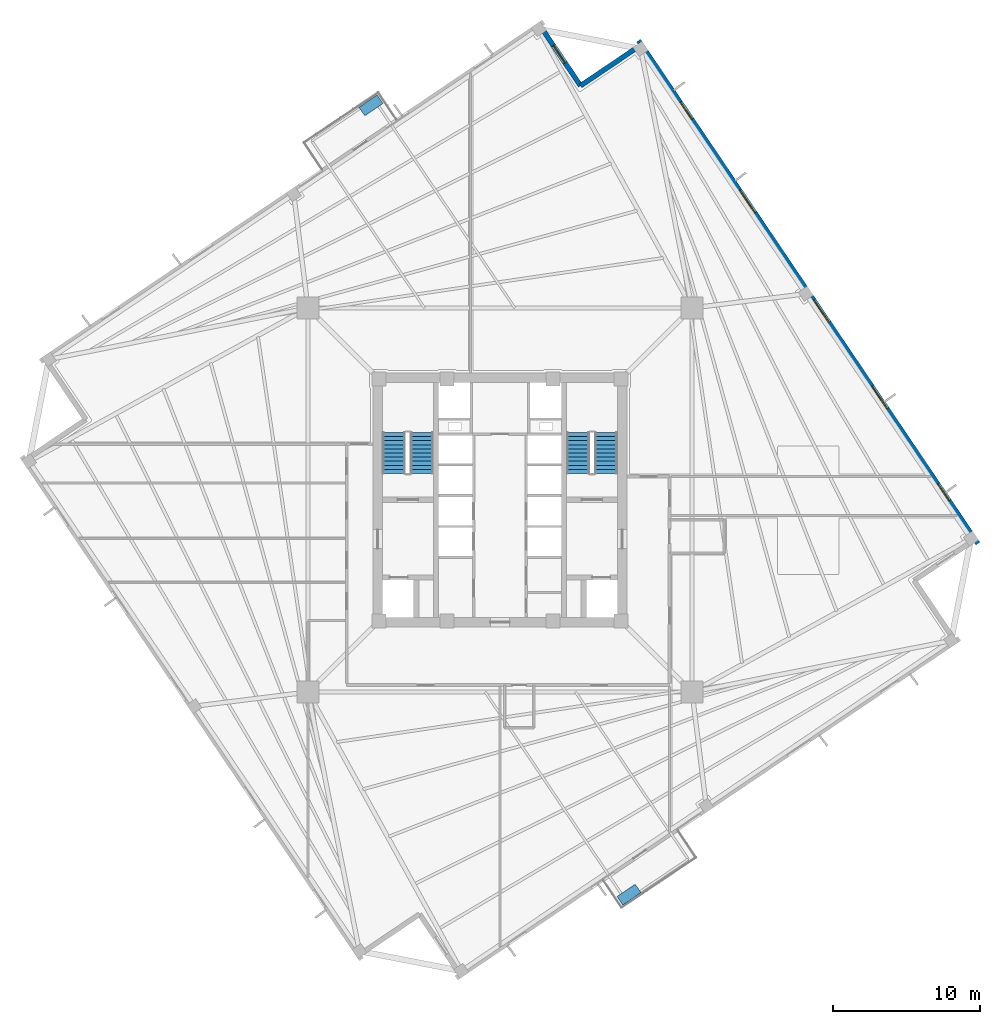
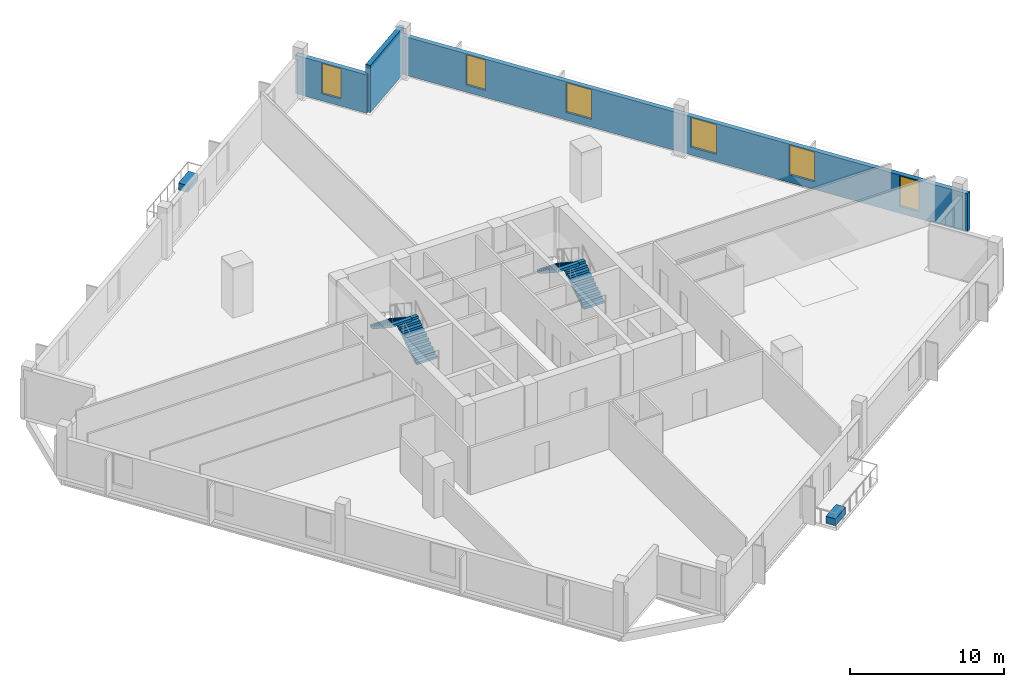
# One storey, part 5 of 8: 6 windows, 4 stair flights, 3 walls, 2 discrete accessories, 6 openings, 2 elements without a shape of their own.
"""IFC4 building model written with IfcOpenShell, lengths in metres."""

from ifc_helpers import new_model, si_unit, direction, frame, frame_2d, origin, origin_2d, place, context, subcontext, project, spatial, polyline, rectangle, outline, extrude, source, transform, mapped, material, layer, layer_set, type_object, element, fill, aggregate, save


model = new_model("IFC4")

# Units and contexts
model_context = context("Model", 3, precision=1e-05, world=origin(), true_north=direction((0.0, 1.0)))
body_context = subcontext(model_context, "Body", "Model", "MODEL_VIEW")
ifc_project = project(units=[si_unit("LENGTHUNIT", "METRE"), si_unit("AREAUNIT", "SQUARE_METRE"), si_unit("VOLUMEUNIT", "CUBIC_METRE"), si_unit("PLANEANGLEUNIT", "RADIAN"), si_unit("MASSUNIT", "GRAM", prefix="KILO"), si_unit("THERMODYNAMICTEMPERATUREUNIT", "KELVIN")], contexts=[model_context])

# Site, building, storey
site_placement = place(None, origin())
site = spatial("IfcSite", under=ifc_project, at=site_placement, CompositionType="ELEMENT")
building_placement = place(site_placement, origin())
building = spatial("IfcBuilding", under=site, at=building_placement, Name="Kosmvard Interchange Tower", CompositionType="ELEMENT")
storey_placement = place(building_placement, frame((0.0, 0.0, 188.39990234375)))
storey = spatial("IfcBuildingStorey", under=building, at=storey_placement, Name="L45", CompositionType="ELEMENT", Elevation=188.39990234375)

# Wall, openings, windows
ifc_material_1 = material(Name="Precast concrete C45/55", Category="concrete")
ifc_layer = layer(ifc_material_1, 0.340087890625, Name="Precast concrete C45/55")
ifc_layer_set = layer_set([ifc_layer], Name="Precast concrete C45/55")
wall_type = type_object("IfcWallType", Name="Mid Tower Precast Pier Wall 340 C45/55", PredefinedType="STANDARD", material=ifc_layer_set)
wall_1_placement = place(storey_placement, frame((32.55810546875, -2.971923828125, 0.0), z_axis=(0.0, 0.0, 1.0), x_axis=(-0.559194910251, 0.829036218961, 0.0)))
wall_1 = element("IfcWall", 1, at=wall_1_placement, inside=storey, type_object=wall_type, Name="L45 Precast Facade Wall F-E", PredefinedType="STANDARD", context=body_context, shape_type="SweptSolid", body=[
    extrude(rectangle(XDim=41.340087890625, YDim=0.340087890625, at=frame_2d((20.669921875, 0.0))), origin(), (0.0, 0.0, 1.0), 3.0400390625),
])
opening_1_placement = place(wall_1_placement, frame((3.5107421875, 0.0, 0.56005859375)))
opening_1 = element("IfcOpeningElement", 2, at=opening_1_placement, cuts=wall_1, Name="Opening L45-W06", PredefinedType="OPENING", context=body_context, shape_type="SweptSolid", body=[
    extrude(rectangle(XDim=1.39990234375, YDim=2.39990234375, at=frame_2d((0.699951171875, 1.199951171875))), frame((0.0, 0.18017578125, 0.0), z_axis=(0.0, -1.0, 0.0), x_axis=(1.0, 0.0, 0.0)), (0.0, 0.0, 1.0), 0.360107421875),
])
opening_2_placement = place(wall_1_placement, frame((11.063720703125, 0.0, 0.610107421875)))
opening_2 = element("IfcOpeningElement", 3, at=opening_2_placement, cuts=wall_1, Name="Opening L45-W07", PredefinedType="OPENING", context=body_context, shape_type="SweptSolid", body=[
    extrude(rectangle(XDim=1.85009765625, YDim=2.35009765625, at=frame_2d((0.925048828125, 1.175048828125))), frame((0.0, 0.18017578125, 0.0), z_axis=(0.0, -1.0, 0.0), x_axis=(1.0, 0.0, 0.0)), (0.0, 0.0, 1.0), 0.360107421875),
])
opening_3_placement = place(wall_1_placement, frame((18.168212890625, 0.0, 0.610107421875)))
opening_3 = element("IfcOpeningElement", 4, at=opening_3_placement, cuts=wall_1, Name="Opening L45-W08", PredefinedType="OPENING", context=body_context, shape_type="SweptSolid", body=[
    extrude(rectangle(XDim=1.85009765625, YDim=2.35009765625, at=frame_2d((0.925048828125, 1.175048828125))), frame((0.0, 0.18017578125, 0.0), z_axis=(0.0, -1.0, 0.0), x_axis=(1.0, 0.0, 0.0)), (0.0, 0.0, 1.0), 0.360107421875),
])
opening_4_placement = place(wall_1_placement, frame((27.186279296875, 0.0, 0.610107421875)))
opening_4 = element("IfcOpeningElement", 5, at=opening_4_placement, cuts=wall_1, Name="Opening L45-W09", PredefinedType="OPENING", context=body_context, shape_type="SweptSolid", body=[
    extrude(rectangle(XDim=1.85009765625, YDim=2.35009765625, at=frame_2d((0.925048828125, 1.175048828125))), frame((0.0, 0.18017578125, 0.0), z_axis=(0.0, -1.0, 0.0), x_axis=(1.0, 0.0, 0.0)), (0.0, 0.0, 1.0), 0.360107421875),
])
opening_5_placement = place(wall_1_placement, frame((34.852294921875, 0.0, 0.56005859375)))
opening_5 = element("IfcOpeningElement", 6, at=opening_5_placement, cuts=wall_1, Name="Opening L45-W10", PredefinedType="OPENING", context=body_context, shape_type="SweptSolid", body=[
    extrude(rectangle(XDim=1.39990234375, YDim=2.39990234375, at=frame_2d((0.699951171875, 1.199951171875))), frame((0.0, 0.18017578125, 0.0), z_axis=(0.0, -1.0, 0.0), x_axis=(1.0, 0.0, 0.0)), (0.0, 0.0, 1.0), 0.360107421875),
])
ifc_material_2 = material(Name="Low-E solar-control double glazing", Category="glass")
window_type_1 = type_object("IfcWindowType", Name="Notched Corner Feature Window 1400x2400", PartitioningType="SINGLE_PANEL", PredefinedType="WINDOW", material=ifc_material_2)
shared_shape_1 = source(origin(), body_context, "Body", "SweptSolid", [
    extrude(rectangle(XDim=1.39990234375, YDim=2.39990234375, at=frame_2d((0.699951171875, 1.199951171875))), frame((0.0, 0.030029296875, 0.0), z_axis=(0.0, -1.0, 0.0), x_axis=(1.0, 0.0, 0.0)), (0.0, 0.0, 1.0), 0.06005859375),
])
window_1_placement = place(opening_1_placement, origin())
window_1 = element("IfcWindow", 7, at=window_1_placement, inside=storey, type_object=window_type_1, Name="L45 Facade Punched Window 06", OverallHeight=2.39990234375, OverallWidth=1.39990234375, PartitioningType="SINGLE_PANEL", PredefinedType="WINDOW", context=body_context, shape_type="MappedRepresentation", body=[
    mapped(shared_shape_1, transform((0.0, 0.0, 0.0), scale=1.0)),
])
fill(opening_1, window_1)
window_2_placement = place(opening_5_placement, origin())
window_2 = element("IfcWindow", 8, at=window_2_placement, inside=storey, type_object=window_type_1, Name="L45 Facade Punched Window 10", OverallHeight=2.39990234375, OverallWidth=1.39990234375, PartitioningType="SINGLE_PANEL", PredefinedType="WINDOW", context=body_context, shape_type="MappedRepresentation", body=[
    mapped(shared_shape_1, transform((0.0, 0.0, 0.0), scale=1.0)),
])
fill(opening_5, window_2)
window_type_2 = type_object("IfcWindowType", Name="Zone 3 Office Punched Window 1850x2350", PartitioningType="SINGLE_PANEL", PredefinedType="WINDOW", material=ifc_material_2)
shared_shape_2 = source(origin(), body_context, "Body", "SweptSolid", [
    extrude(rectangle(XDim=1.85009765625, YDim=2.35009765625, at=frame_2d((0.925048828125, 1.175048828125))), frame((0.0, 0.030029296875, 0.0), z_axis=(0.0, -1.0, 0.0), x_axis=(1.0, 0.0, 0.0)), (0.0, 0.0, 1.0), 0.06005859375),
])
window_3_placement = place(opening_2_placement, origin())
window_3 = element("IfcWindow", 9, at=window_3_placement, inside=storey, type_object=window_type_2, Name="L45 Facade Punched Window 07", OverallHeight=2.35009765625, OverallWidth=1.85009765625, PartitioningType="SINGLE_PANEL", PredefinedType="WINDOW", context=body_context, shape_type="MappedRepresentation", body=[
    mapped(shared_shape_2, transform((0.0, 0.0, 0.0), scale=1.0)),
])
fill(opening_2, window_3)
window_4_placement = place(opening_3_placement, origin())
window_4 = element("IfcWindow", 10, at=window_4_placement, inside=storey, type_object=window_type_2, Name="L45 Facade Punched Window 08", OverallHeight=2.35009765625, OverallWidth=1.85009765625, PartitioningType="SINGLE_PANEL", PredefinedType="WINDOW", context=body_context, shape_type="MappedRepresentation", body=[
    mapped(shared_shape_2, transform((0.0, 0.0, 0.0), scale=1.0)),
])
fill(opening_3, window_4)
window_5_placement = place(opening_4_placement, origin())
window_5 = element("IfcWindow", 11, at=window_5_placement, inside=storey, type_object=window_type_2, Name="L45 Facade Punched Window 09", OverallHeight=2.35009765625, OverallWidth=1.85009765625, PartitioningType="SINGLE_PANEL", PredefinedType="WINDOW", context=body_context, shape_type="MappedRepresentation", body=[
    mapped(shared_shape_2, transform((0.0, 0.0, 0.0), scale=1.0)),
])
fill(opening_4, window_5)

# Wall
wall_2_placement = place(storey_placement, frame((9.631103515625, 31.018798828125, 0.0), z_axis=(0.0, 0.0, 1.0), x_axis=(-0.829025804298, -0.559210350234, 0.0)))
element("IfcWall", 12, at=wall_2_placement, inside=storey, type_object=wall_type, Name="L45 Precast Facade Wall N-NE1", PredefinedType="STANDARD", context=body_context, shape_type="SweptSolid", body=[
    extrude(rectangle(XDim=5.000244140625, YDim=0.340087890625, at=frame_2d((2.5, 0.0))), origin(), (0.0, 0.0, 1.0), 3.739990234375),
])

# Wall, opening, window
wall_3_placement = place(storey_placement, frame((5.48583984375, 28.22265625, 0.0), z_axis=(0.0, 0.0, 1.0), x_axis=(-0.559171107879, 0.82905227345, 0.0)))
wall_3 = element("IfcWall", 13, at=wall_3_placement, inside=storey, type_object=wall_type, Name="L45 Precast Facade Wall N-NE2", PredefinedType="STANDARD", context=body_context, shape_type="SweptSolid", body=[
    extrude(rectangle(XDim=5.169921875, YDim=0.340087890625, at=frame_2d((2.5849609375, 0.0))), origin(), (0.0, 0.0, 1.0), 3.0400390625),
])
opening_6_placement = place(wall_3_placement, frame((1.885009765625, 0.0, 0.56005859375)))
opening_6 = element("IfcOpeningElement", 14, at=opening_6_placement, cuts=wall_3, Name="Opening L45-W22", PredefinedType="OPENING", context=body_context, shape_type="SweptSolid", body=[
    extrude(rectangle(XDim=1.39990234375, YDim=2.39990234375, at=frame_2d((0.699951171875, 1.199951171875))), frame((0.0, 0.18017578125, 0.0), z_axis=(0.0, -1.0, 0.0), x_axis=(1.0, 0.0, 0.0)), (0.0, 0.0, 1.0), 0.360107421875),
])
window_6_placement = place(opening_6_placement, origin())
window_6 = element("IfcWindow", 15, at=window_6_placement, inside=storey, type_object=window_type_1, Name="L45 Corner Notch Window 22", OverallHeight=2.39990234375, OverallWidth=1.39990234375, PartitioningType="SINGLE_PANEL", PredefinedType="WINDOW", context=body_context, shape_type="MappedRepresentation", body=[
    mapped(shared_shape_1, transform((0.0, 0.0, 0.0), scale=1.0)),
])
fill(opening_6, window_6)

# Stair, stair flights
ifc_material_3 = material(Name="Concrete C50/60", Category="concrete")
stair_type = type_object("IfcStairType", Name="Dog-Leg Core Exit Stair H4000 C50/60", PredefinedType="HALF_TURN_STAIR", material=ifc_material_3)
stair_1_placement = place(storey_placement, origin())
stair_1 = element("IfcStair", 16, at=stair_1_placement, inside=storey, type_object=stair_type, Name="L45 Protected Exit Stair ST-1", PredefinedType="HALF_TURN_STAIR")
stair_flight_type = type_object("IfcStairFlightType", Name="Core Stair Flight W1550 H4000 C50/60", PredefinedType="STRAIGHT", material=ifc_material_3)
shared_shape_3 = source(origin(), body_context, "Body", "SweptSolid", [
    extrude(outline(polyline([(0.0, 0.0), (0.0, 0.181884765625), (0.280029296875, 0.181884765625), (0.280029296875, 0.363525390625), (0.56005859375, 0.363525390625), (0.56005859375, 0.54541015625), (0.840087890625, 0.54541015625), (0.840087890625, 0.727294921875), (1.1201171875, 0.727294921875), (1.1201171875, 0.9091796875), (1.39990234375, 0.9091796875), (1.39990234375, 1.0908203125), (1.679931640625, 1.0908203125), (1.679931640625, 1.272705078125), (1.9599609375, 1.272705078125), (1.9599609375, 1.45458984375), (2.239990234375, 1.45458984375), (2.239990234375, 1.636474609375), (2.52001953125, 1.636474609375), (2.52001953125, 1.818115234375), (2.800048828125, 1.818115234375), (2.800048828125, 2.0), (2.800048828125, 1.62744140625), (0.293701171875, 0.0), (0.0, 0.0)])), frame((0.0, 0.77490234375, 0.0), z_axis=(0.0, -1.0, 0.0), x_axis=(1.0, 0.0, 0.0)), (0.0, 0.0, 1.0), 1.550048828125),
])
stair_flight_1_placement = place(storey_placement, frame((-5.31494140625, 1.800048828125, 0.0), z_axis=(0.0, 0.0, 1.0), x_axis=(0.0, 1.0, 0.0)))
stair_flight_1 = element("IfcStairFlight", 17, at=stair_flight_1_placement, type_object=stair_flight_type, Name="ST-1 flight 1", NumberOfRisers=11, NumberOfTreads=10, PredefinedType="STRAIGHT", RiserHeight=0.181818182, TreadLength=0.28, context=body_context, shape_type="MappedRepresentation", body=[
    mapped(shared_shape_3, transform((0.0, 0.0, 0.0), scale=1.0)),
])
stair_flight_2_placement = place(storey_placement, frame((-7.22509765625, 4.60009765625, 2.0), z_axis=(0.0, 0.0, 1.0), x_axis=(0.0, -1.0, 0.0)))
stair_flight_2 = element("IfcStairFlight", 18, at=stair_flight_2_placement, type_object=stair_flight_type, Name="ST-1 flight 2", NumberOfRisers=11, NumberOfTreads=10, PredefinedType="STRAIGHT", RiserHeight=0.181818182, TreadLength=0.28, context=body_context, shape_type="MappedRepresentation", body=[
    mapped(shared_shape_3, transform((0.0, 0.0, 0.0), scale=1.0)),
])
aggregate(stair_1, [stair_flight_1, stair_flight_2])

stair_2_placement = place(storey_placement, origin())
stair_2 = element("IfcStair", 19, at=stair_2_placement, inside=storey, type_object=stair_type, Name="L45 Protected Exit Stair ST-2", PredefinedType="HALF_TURN_STAIR")
stair_flight_3_placement = place(storey_placement, frame((7.22509765625, 1.800048828125, 0.0), z_axis=(0.0, 0.0, 1.0), x_axis=(0.0, 1.0, 0.0)))
stair_flight_3 = element("IfcStairFlight", 20, at=stair_flight_3_placement, type_object=stair_flight_type, Name="ST-2 flight 1", NumberOfRisers=11, NumberOfTreads=10, PredefinedType="STRAIGHT", RiserHeight=0.181818182, TreadLength=0.28, context=body_context, shape_type="MappedRepresentation", body=[
    mapped(shared_shape_3, transform((0.0, 0.0, 0.0), scale=1.0)),
])
stair_flight_4_placement = place(storey_placement, frame((5.31494140625, 4.60009765625, 2.0), z_axis=(0.0, 0.0, 1.0), x_axis=(0.0, -1.0, 0.0)))
stair_flight_4 = element("IfcStairFlight", 21, at=stair_flight_4_placement, type_object=stair_flight_type, Name="ST-2 flight 2", NumberOfRisers=11, NumberOfTreads=10, PredefinedType="STRAIGHT", RiserHeight=0.181818182, TreadLength=0.28, context=body_context, shape_type="MappedRepresentation", body=[
    mapped(shared_shape_3, transform((0.0, 0.0, 0.0), scale=1.0)),
])
aggregate(stair_2, [stair_flight_3, stair_flight_4])

# Discrete accessories
ifc_material_4 = material(Name="Terracotta precast planter concrete C45/55", Category="masonry")
discrete_accessory_type = type_object("IfcDiscreteAccessoryType", Name="Precast Tree-Balcony & Terrace Planter Box", PredefinedType="USERDEFINED", material=ifc_material_4)
shared_shape_4 = source(origin(), body_context, "Body", "SweptSolid", [
    extrude(rectangle(XDim=1.5, YDim=0.699951171875, at=origin_2d()), origin(), (0.0, 0.0, 1.0), 0.550048828125),
])
for number, where, z_axis, x_axis, name in (
    (22, (8.784912109375, -26.883544921875, 0.0), (0.0, 0.0, 1.0), (0.829037572555, 0.559192903471, 0.0), "L45 Balcony Tree Planter BAL-L45-S"),
    (23, (-8.784912109375, 26.883544921875, 0.0), (0.0, 0.0, 1.0), (0.829037572555, 0.559192903471, 0.0), "L45 Balcony Tree Planter BAL-L45-N"),
):
    element("IfcDiscreteAccessory", number, at=place(storey_placement, frame(where, z_axis=z_axis, x_axis=x_axis)), inside=storey, type_object=discrete_accessory_type, Name=name, ObjectType="PLANTER", PredefinedType="USERDEFINED", context=body_context, shape_type="MappedRepresentation", body=[
        mapped(shared_shape_4, transform((0.0, 0.0, 0.0), scale=1.0)),
    ])

save(model, "model.ifc")
